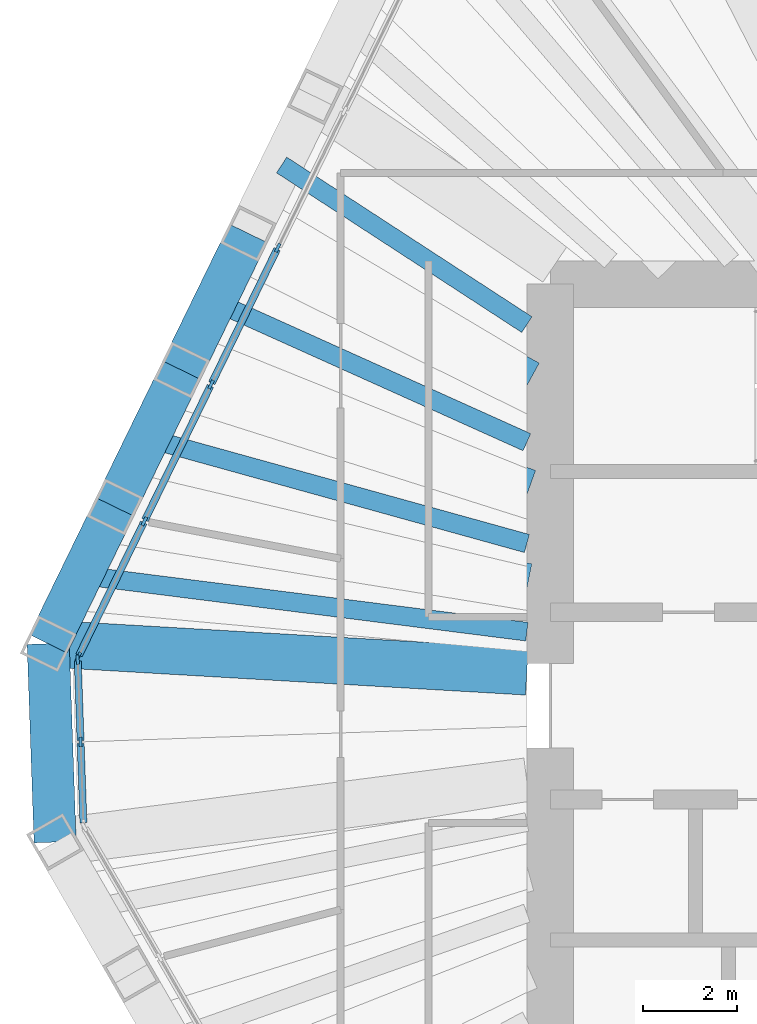
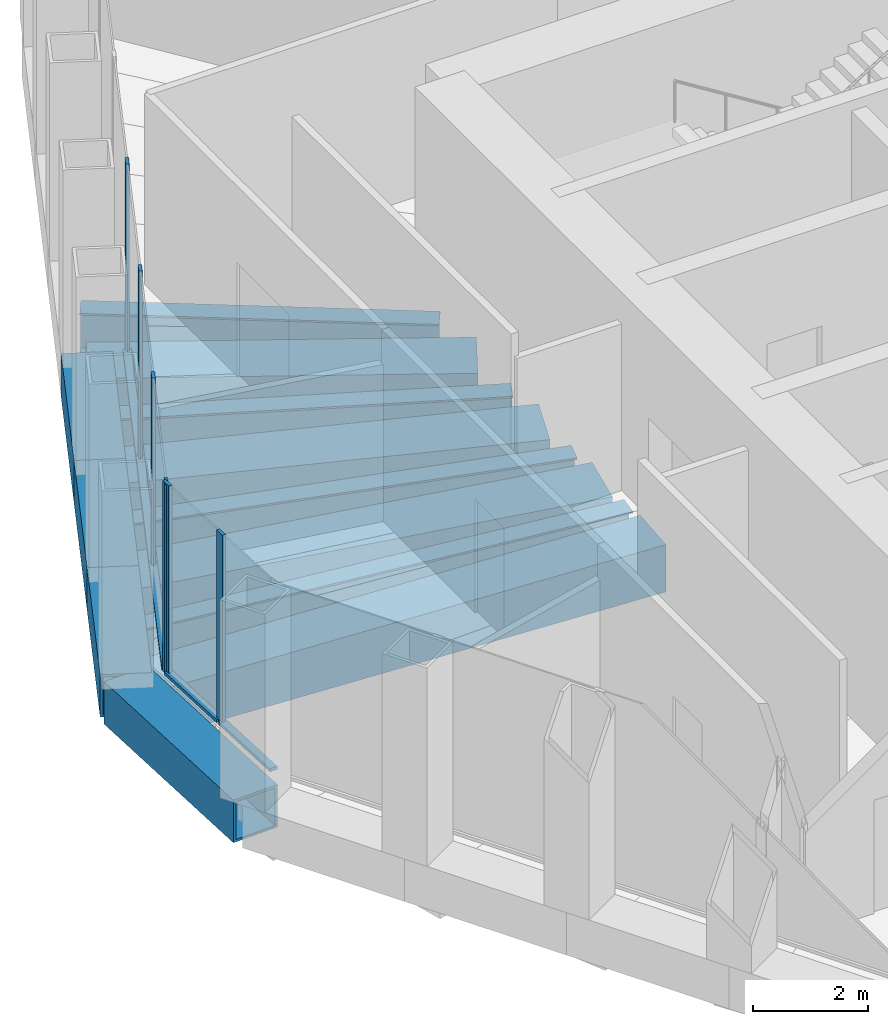
# One storey, part 4 of 14: 12 beams, 11 members, 2 elements without a shape of their own.
"""IFC4 building model written with IfcOpenShell, lengths in metres."""

from ifc_helpers import new_model, si_unit, direction, frame, origin, origin_2d, place, context, subcontext, project, spatial, rectangle, hollow_rectangle, i_section, extrude, material, material_profile, profile_set, type_object, element, aggregate, save


model = new_model("IFC4")

# Units and contexts
model_context = context("Model", 3, precision=1e-05, world=origin(), true_north=direction((0.0, 1.0)))
body_context = subcontext(model_context, "Body", "Model", "MODEL_VIEW")
ifc_project = project(units=[si_unit("LENGTHUNIT", "METRE"), si_unit("AREAUNIT", "SQUARE_METRE"), si_unit("VOLUMEUNIT", "CUBIC_METRE"), si_unit("PLANEANGLEUNIT", "RADIAN"), si_unit("MASSUNIT", "GRAM", prefix="KILO")], contexts=[model_context])

# Site, building, storey
site_placement = place(None, origin())
site = spatial("IfcSite", under=ifc_project, at=site_placement, CompositionType="ELEMENT")
building_placement = place(site_placement, origin())
building = spatial("IfcBuilding", under=site, at=building_placement, Name="Qingtian Harvest Tower", CompositionType="ELEMENT")
storey_placement = place(building_placement, frame((0.0, 0.0, 266.199951171875)))
storey = spatial("IfcBuildingStorey", under=building, at=storey_placement, Name="L58", CompositionType="ELEMENT", Elevation=266.199951171875)

# Beams
ifc_material_1 = material(Name="Steel SN490B", Category="steel")
ifc_material_profile_1 = material_profile(ifc_material_1, i_section(OverallWidth=0.39990234375, OverallDepth=0.89990234375, WebThickness=0.01904296875, FlangeThickness=0.035888671875, at=origin_2d()), Name="H900x400x19x36")
ifc_profile_set_1 = profile_set([ifc_material_profile_1], Name="Steel SN490B")
beam_type_1 = type_object("IfcBeamType", Name="Floor joist J4 H900x400x19x36", PredefinedType="JOIST", material=ifc_profile_set_1)
beam_1_placement = place(storey_placement, frame((-22.00537109375, 2.78662109375, -0.619873046875), z_axis=(0.992078247837, -0.125621455844, 0.0), x_axis=(0.125621455844, 0.992078247837, 0.0)))
element("IfcBeam", 1, at=beam_1_placement, inside=storey, type_object=beam_type_1, Name="Floor joist J4 NW0", PredefinedType="JOIST", context=body_context, shape_type="SweptSolid", body=[
    extrude(i_section(OverallWidth=0.39990234375, OverallDepth=0.89990234375, WebThickness=0.01904296875, FlangeThickness=0.035888671875, at=origin_2d()), origin(), (0.0, 0.0, 1.0), 9.581298828125),
])
beam_2_placement = place(storey_placement, frame((-20.58154296875, 5.7060546875, -0.619873046875), z_axis=(0.963652918134, -0.267157356949, 0.0), x_axis=(0.267157356949, 0.963652918134, 0.0)))
element("IfcBeam", 2, at=beam_2_placement, inside=storey, type_object=beam_type_1, Name="Floor joist J4 NW1", PredefinedType="JOIST", context=body_context, shape_type="SweptSolid", body=[
    extrude(i_section(OverallWidth=0.39990234375, OverallDepth=0.89990234375, WebThickness=0.01904296875, FlangeThickness=0.035888671875, at=origin_2d()), origin(), (0.0, 0.0, 1.0), 8.386474609375),
])
beam_3_placement = place(storey_placement, frame((-19.15771484375, 8.625244140625, -0.619873046875), z_axis=(0.911852669976, -0.410517610168, 0.0), x_axis=(0.410517610168, 0.911852669976, 0.0)))
element("IfcBeam", 3, at=beam_3_placement, inside=storey, type_object=beam_type_1, Name="Floor joist J4 NW2", PredefinedType="JOIST", context=body_context, shape_type="SweptSolid", body=[
    extrude(i_section(OverallWidth=0.39990234375, OverallDepth=0.89990234375, WebThickness=0.01904296875, FlangeThickness=0.035888671875, at=origin_2d()), origin(), (0.0, 0.0, 1.0), 7.30126953125),
])
beam_4_placement = place(storey_placement, frame((-17.73388671875, 11.544677734375, -0.619873046875), z_axis=(0.838062930903, -0.545573573266, 0.0), x_axis=(0.545573573266, 0.838062930903, 0.0)))
element("IfcBeam", 4, at=beam_4_placement, inside=storey, type_object=beam_type_1, Name="Floor joist J4 NW3", PredefinedType="JOIST", context=body_context, shape_type="SweptSolid", body=[
    extrude(i_section(OverallWidth=0.39990234375, OverallDepth=0.89990234375, WebThickness=0.01904296875, FlangeThickness=0.035888671875, at=origin_2d()), origin(), (0.0, 0.0, 1.0), 6.2451171875),
])

# Curtain wall, members
ifc_material_2 = material(Name="Bronze-anodised aluminium curtain wall", Category="aluminium")
curtain_wall_type = type_object("IfcCurtainWallType", Name="Curtain wall CW5 upper office", PredefinedType="USERDEFINED", material=ifc_material_2)
curtain_wall_1_placement = place(storey_placement, origin())
curtain_wall_1 = element("IfcCurtainWall", 5, at=curtain_wall_1_placement, inside=storey, type_object=curtain_wall_type, Name="Curtain wall CW5 L58 SWC", ObjectType="RECESSED CURTAIN WALL", PredefinedType="USERDEFINED")
ifc_material_3 = material(Name="Bronze-anodised aluminium mullion", Category="aluminium")
ifc_material_profile_2 = material_profile(ifc_material_3, rectangle(XDim=0.06494140625, YDim=0.199951171875, at=origin_2d()), Name="AL 65x200")
ifc_profile_set_2 = profile_set([ifc_material_profile_2], Name="Bronze-anodised aluminium mullion")
member_type_1 = type_object("IfcMemberType", Name="Mullion CWM 65x200", PredefinedType="MULLION", material=ifc_profile_set_2)
member_1_placement = place(storey_placement, frame((-22.025634765625, -0.76904296875, 0.0), z_axis=(0.0, 0.0, 1.0), x_axis=(-0.999390827019, -0.034899496703, 0.0)))
member_1 = element("IfcMember", 6, at=member_1_placement, type_object=member_type_1, Name="CW5 mullion 2", PredefinedType="MULLION", context=body_context, shape_type="SweptSolid", body=[
    extrude(rectangle(XDim=0.06494140625, YDim=0.199951171875, at=origin_2d()), origin(), (0.0, 0.0, 1.0), 4.030029296875),
])
member_2_placement = place(storey_placement, frame((-22.087158203125, 0.98779296875, 0.0), z_axis=(0.0, 0.0, 1.0), x_axis=(-0.999390827019, -0.034899496703, 0.0)))
member_2 = element("IfcMember", 7, at=member_2_placement, type_object=member_type_1, Name="CW5 mullion 3", PredefinedType="MULLION", context=body_context, shape_type="SweptSolid", body=[
    extrude(rectangle(XDim=0.06494140625, YDim=0.199951171875, at=origin_2d()), origin(), (0.0, 0.0, 1.0), 4.030029296875),
])

curtain_wall_2_placement = place(storey_placement, origin())
curtain_wall_2 = element("IfcCurtainWall", 8, at=curtain_wall_2_placement, inside=storey, type_object=curtain_wall_type, Name="Curtain wall CW5 L58 NW0-5", ObjectType="RECESSED CURTAIN WALL", PredefinedType="USERDEFINED")
member_3_placement = place(storey_placement, frame((-22.073974609375, 1.04931640625, 0.0), z_axis=(0.0, 0.0, 1.0), x_axis=(-0.898794046299, 0.438371146789, 0.0)))
member_3 = element("IfcMember", 9, at=member_3_placement, type_object=member_type_1, Name="CW5 mullion 1", PredefinedType="MULLION", context=body_context, shape_type="SweptSolid", body=[
    extrude(rectangle(XDim=0.06494140625, YDim=0.199951171875, at=origin_2d()), origin(), (0.0, 0.0, 1.0), 4.030029296875),
])
member_4_placement = place(storey_placement, frame((-20.664306640625, 3.939453125, 0.0), z_axis=(0.0, 0.0, 1.0), x_axis=(-0.898794046299, 0.438371146789, 0.0)))
member_4 = element("IfcMember", 10, at=member_4_placement, type_object=member_type_1, Name="CW5 mullion 2", PredefinedType="MULLION", context=body_context, shape_type="SweptSolid", body=[
    extrude(rectangle(XDim=0.06494140625, YDim=0.199951171875, at=origin_2d()), origin(), (0.0, 0.0, 1.0), 4.030029296875),
])
member_5_placement = place(storey_placement, frame((-19.240478515625, 6.85888671875, 0.0), z_axis=(0.0, 0.0, 1.0), x_axis=(-0.898794046299, 0.438371146789, 0.0)))
member_5 = element("IfcMember", 11, at=member_5_placement, type_object=member_type_1, Name="CW5 mullion 3", PredefinedType="MULLION", context=body_context, shape_type="SweptSolid", body=[
    extrude(rectangle(XDim=0.06494140625, YDim=0.199951171875, at=origin_2d()), origin(), (0.0, 0.0, 1.0), 4.030029296875),
])
member_6_placement = place(storey_placement, frame((-17.816650390625, 9.778076171875, 0.0), z_axis=(0.0, 0.0, 1.0), x_axis=(-0.898794046299, 0.438371146789, 0.0)))
member_6 = element("IfcMember", 12, at=member_6_placement, type_object=member_type_1, Name="CW5 mullion 4", PredefinedType="MULLION", context=body_context, shape_type="SweptSolid", body=[
    extrude(rectangle(XDim=0.06494140625, YDim=0.199951171875, at=origin_2d()), origin(), (0.0, 0.0, 1.0), 4.030029296875),
])

# Beams
ifc_material_4 = material(Name="Steel SM570MC", Category="steel")
ifc_material_profile_3 = material_profile(ifc_material_4, hollow_rectangle(XDim=1.0, YDim=1.0, WallThickness=0.080078125, at=origin_2d()), Name="BOX1000x1000x80")
ifc_profile_set_3 = profile_set([ifc_material_profile_3], Name="Steel SM570MC")
beam_type_2 = type_object("IfcBeamType", Name="Transfer corner beam FB11 BOX1000x1000x80", PredefinedType="BEAM", material=ifc_profile_set_3)
beam_5_placement = place(storey_placement, frame((-22.71728515625, 1.3271484375, -0.669921875), z_axis=(0.998297736533, -0.058323487833, 0.0), x_axis=(0.058323487833, 0.998297736533, 0.0)))
element("IfcBeam", 13, at=beam_5_placement, inside=storey, type_object=beam_type_2, Name="Floor beam FB11 NW0", PredefinedType="BEAM", context=body_context, shape_type="SweptSolid", body=[
    extrude(hollow_rectangle(XDim=1.0, YDim=1.0, WallThickness=0.080078125, at=origin_2d()), origin(), (0.0, 0.0, 1.0), 10.234619140625),
])
ifc_material_5 = material(Name="Steel SM570MC", Category="steel")
ifc_material_profile_4 = material_profile(ifc_material_5, hollow_rectangle(XDim=1.10009765625, YDim=1.10009765625, WallThickness=0.10009765625, at=origin_2d()), Name="BOX1100x1100x100")
ifc_profile_set_4 = profile_set([ifc_material_profile_4], Name="Steel SM570MC")
beam_type_3 = type_object("IfcBeamType", Name="Transfer floor beam FB9 BOX1100x1100x100", PredefinedType="BEAM", material=ifc_profile_set_4)
beam_6_placement = place(storey_placement, frame((-21.29345703125, 4.246337890625, -0.719970703125), z_axis=(0.980688391079, -0.195576786971, 0.0), x_axis=(0.195576786971, 0.980688391079, 0.0)))
element("IfcBeam", 14, at=beam_6_placement, inside=storey, type_object=beam_type_3, Name="Floor beam FB9 NW1", PredefinedType="BEAM", context=body_context, shape_type="SweptSolid", body=[
    extrude(hollow_rectangle(XDim=1.10009765625, YDim=1.10009765625, WallThickness=0.10009765625, at=origin_2d()), origin(), (0.0, 0.0, 1.0), 8.966552734375),
])
beam_7_placement = place(storey_placement, frame((-19.86962890625, 7.165771484375, -0.719970703125), z_axis=(0.940688220757, -0.339272267256, 0.0), x_axis=(0.339272267256, 0.940688220757, 0.0)))
element("IfcBeam", 15, at=beam_7_placement, inside=storey, type_object=beam_type_3, Name="Floor beam FB9 NW2", PredefinedType="BEAM", context=body_context, shape_type="SweptSolid", body=[
    extrude(hollow_rectangle(XDim=1.10009765625, YDim=1.10009765625, WallThickness=0.10009765625, at=origin_2d()), origin(), (0.0, 0.0, 1.0), 7.834228515625),
])
beam_8_placement = place(storey_placement, frame((-18.44580078125, 10.0849609375, -0.719970703125), z_axis=(0.877425639682, -0.479712671116, 0.0), x_axis=(0.479712671116, 0.877425639682, 0.0)))
element("IfcBeam", 16, at=beam_8_placement, inside=storey, type_object=beam_type_3, Name="Floor beam FB9 NW3", PredefinedType="BEAM", context=body_context, shape_type="SweptSolid", body=[
    extrude(hollow_rectangle(XDim=1.10009765625, YDim=1.10009765625, WallThickness=0.10009765625, at=origin_2d()), origin(), (0.0, 0.0, 1.0), 6.7763671875),
])
ifc_material_6 = material(Name="Steel SM570MC", Category="steel")
ifc_material_profile_5 = material_profile(ifc_material_6, hollow_rectangle(XDim=0.89990234375, YDim=0.89990234375, WallThickness=0.050048828125, at=origin_2d()), Name="BOX900x900x50")
ifc_profile_set_5 = profile_set([ifc_material_profile_5], Name="Steel SM570MC")
beam_type_4 = type_object("IfcBeamType", Name="Transition spandrel SB6 BOX900x900x50", PredefinedType="SPANDREL", material=ifc_profile_set_5)
beam_9_placement = place(storey_placement, frame((-22.569580078125, -2.908447265625, -0.449951171875), z_axis=(-0.034851142499, 0.999392514414, 0.0), x_axis=(-0.999392514414, -0.034851142499, 0.0)))
element("IfcBeam", 17, at=beam_9_placement, inside=storey, type_object=beam_type_4, Name="Spandrel SB6 SWC", PredefinedType="SPANDREL", context=body_context, shape_type="SweptSolid", body=[
    extrude(hollow_rectangle(XDim=0.89990234375, YDim=0.89990234375, WallThickness=0.050048828125, at=origin_2d()), origin(), (0.0, 0.0, 1.0), 4.23828125),
])
beam_10_placement = place(storey_placement, frame((-22.71728515625, 1.3271484375, -0.449951171875), z_axis=(0.438382164311, 0.898788672611, 0.0), x_axis=(-0.898788672611, 0.438382164311, 0.0)))
element("IfcBeam", 18, at=beam_10_placement, inside=storey, type_object=beam_type_4, Name="Spandrel SB6 NW0", PredefinedType="SPANDREL", context=body_context, shape_type="SweptSolid", body=[
    extrude(hollow_rectangle(XDim=0.89990234375, YDim=0.89990234375, WallThickness=0.050048828125, at=origin_2d()), origin(), (0.0, 0.0, 1.0), 3.247802734375),
])
beam_11_placement = place(storey_placement, frame((-21.29345703125, 4.246337890625, -0.449951171875), z_axis=(0.438352548749, 0.898803116931, 0.0), x_axis=(-0.898803116931, 0.438352548749, 0.0)))
element("IfcBeam", 19, at=beam_11_placement, inside=storey, type_object=beam_type_4, Name="Spandrel SB6 NW1", PredefinedType="SPANDREL", context=body_context, shape_type="SweptSolid", body=[
    extrude(hollow_rectangle(XDim=0.89990234375, YDim=0.89990234375, WallThickness=0.050048828125, at=origin_2d()), origin(), (0.0, 0.0, 1.0), 3.248046875),
])
beam_12_placement = place(storey_placement, frame((-19.86962890625, 7.165771484375, -0.449951171875), z_axis=(0.438382164311, 0.898788672611, 0.0), x_axis=(-0.898788672611, 0.438382164311, 0.0)))
element("IfcBeam", 20, at=beam_12_placement, inside=storey, type_object=beam_type_4, Name="Spandrel SB6 NW2", PredefinedType="SPANDREL", context=body_context, shape_type="SweptSolid", body=[
    extrude(hollow_rectangle(XDim=0.89990234375, YDim=0.89990234375, WallThickness=0.050048828125, at=origin_2d()), origin(), (0.0, 0.0, 1.0), 3.247802734375),
])

# Member
ifc_material_7 = material(Name="Bronze-anodised aluminium transom", Category="aluminium")
ifc_material_profile_6 = material_profile(ifc_material_7, rectangle(XDim=0.14990234375, YDim=0.06494140625, at=origin_2d()), Name="AL 65x150")
ifc_profile_set_6 = profile_set([ifc_material_profile_6], Name="Bronze-anodised aluminium transom")
member_type_2 = type_object("IfcMemberType", Name="Transom CWT 65x150", PredefinedType="USERDEFINED", material=ifc_profile_set_6)
member_7_placement = place(storey_placement, frame((-21.965576171875, -2.49365234375, 0.032470703125), z_axis=(-0.034899362377, 0.99939083171, 0.0), x_axis=(-0.99939083171, -0.034899362377, 0.0)))
member_7 = element("IfcMember", 21, at=member_7_placement, type_object=member_type_2, Name="CW5 transom 1.1", ObjectType="TRANSOM", PredefinedType="USERDEFINED", context=body_context, shape_type="SweptSolid", body=[
    extrude(rectangle(XDim=0.14990234375, YDim=0.06494140625, at=origin_2d()), origin(), (0.0, 0.0, 1.0), 1.69287109375),
])

member_8_placement = place(storey_placement, frame((-22.02685546875, -0.736572265625, 0.032470703125), z_axis=(-0.034899362377, 0.99939083171, 0.0), x_axis=(-0.99939083171, -0.034899362377, 0.0)))
member_8 = element("IfcMember", 22, at=member_8_placement, type_object=member_type_2, Name="CW5 transom 2.1", ObjectType="TRANSOM", PredefinedType="USERDEFINED", context=body_context, shape_type="SweptSolid", body=[
    extrude(rectangle(XDim=0.14990234375, YDim=0.06494140625, at=origin_2d()), origin(), (0.0, 0.0, 1.0), 1.69287109375),
])

aggregate(curtain_wall_1, [member_1, member_2, member_7, member_8])

member_9_placement = place(storey_placement, frame((-22.059814453125, 1.07861328125, 0.032470703125), z_axis=(0.438357982629, 0.89880046677, 0.0), x_axis=(-0.89880046677, 0.438357982629, 0.0)))
member_9 = element("IfcMember", 23, at=member_9_placement, type_object=member_type_2, Name="CW5 transom 1.1", ObjectType="TRANSOM", PredefinedType="USERDEFINED", context=body_context, shape_type="SweptSolid", body=[
    extrude(rectangle(XDim=0.14990234375, YDim=0.06494140625, at=origin_2d()), origin(), (0.0, 0.0, 1.0), 3.150634765625),
])

member_10_placement = place(storey_placement, frame((-20.650146484375, 3.96875, 0.032470703125), z_axis=(0.438355626738, 0.898801615768, 0.0), x_axis=(-0.898801615768, 0.438355626738, 0.0)))
member_10 = element("IfcMember", 24, at=member_10_placement, type_object=member_type_2, Name="CW5 transom 2.1", ObjectType="TRANSOM", PredefinedType="USERDEFINED", context=body_context, shape_type="SweptSolid", body=[
    extrude(rectangle(XDim=0.14990234375, YDim=0.06494140625, at=origin_2d()), origin(), (0.0, 0.0, 1.0), 3.182861328125),
])

member_11_placement = place(storey_placement, frame((-19.226318359375, 6.887939453125, 0.032470703125), z_axis=(0.438325408134, 0.898816353091, 0.0), x_axis=(-0.898816353091, 0.438325408134, 0.0)))
member_11 = element("IfcMember", 25, at=member_11_placement, type_object=member_type_2, Name="CW5 transom 3.1", ObjectType="TRANSOM", PredefinedType="USERDEFINED", context=body_context, shape_type="SweptSolid", body=[
    extrude(rectangle(XDim=0.14990234375, YDim=0.06494140625, at=origin_2d()), origin(), (0.0, 0.0, 1.0), 3.18310546875),
])

aggregate(curtain_wall_2, [member_3, member_4, member_5, member_6, member_9, member_10, member_11])

save(model, "model.ifc")
